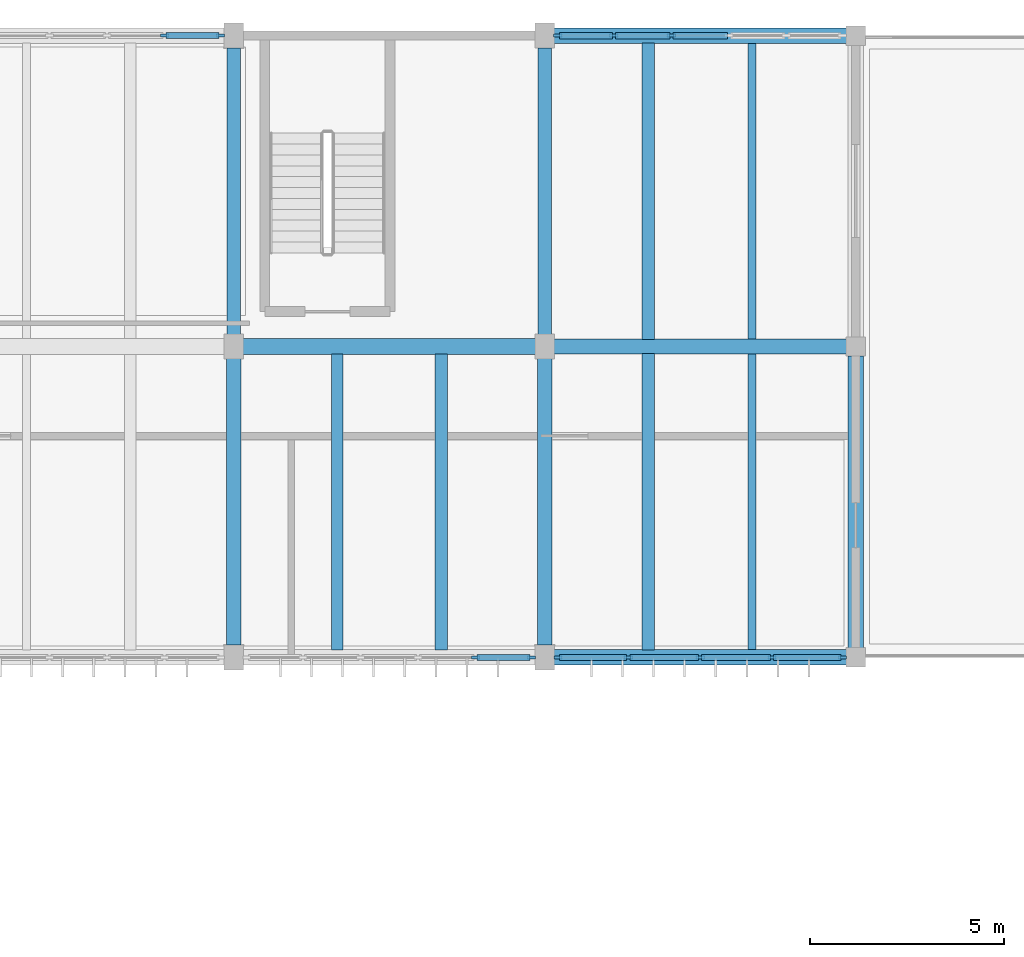
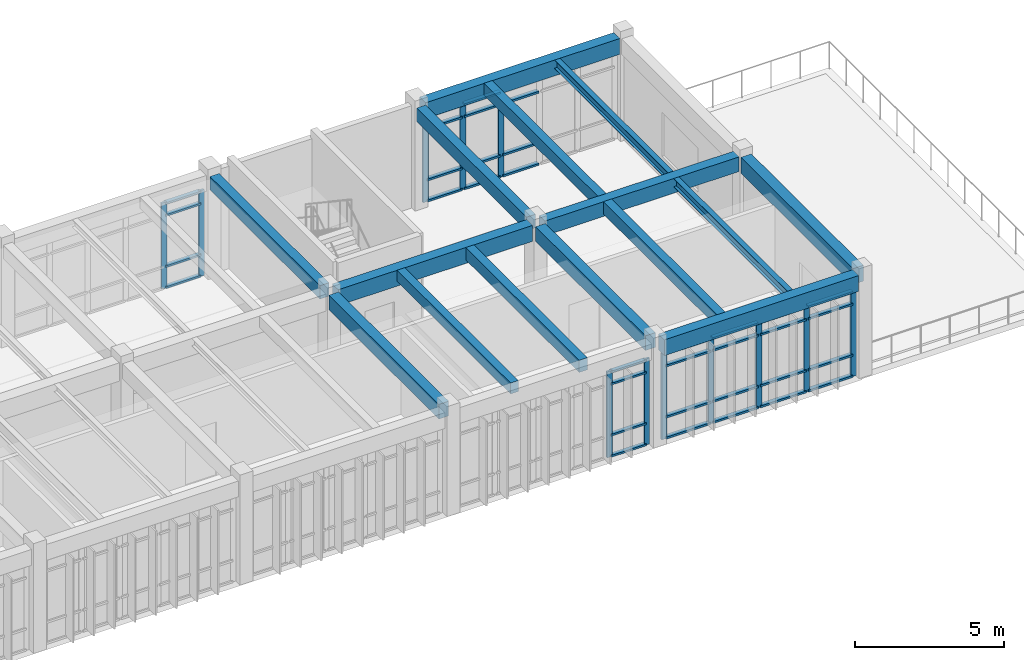
# One storey, part 29 of 72: 47 members, 15 beams, 4 elements without a shape of their own.
"""IFC4 building model written with IfcOpenShell, lengths in metres."""

from ifc_helpers import new_model, si_unit, direction, frame, origin, origin_2d, place, context, subcontext, project, spatial, rectangle, i_section, extrude, material, material_profile, profile_set, type_object, element, aggregate, save


model = new_model("IFC4")

# Units and contexts
model_context = context("Model", 3, precision=1e-05, world=origin(), true_north=direction((0.0, 1.0)))
body_context = subcontext(model_context, "Body", "Model", "MODEL_VIEW")
ifc_project = project(units=[si_unit("LENGTHUNIT", "METRE"), si_unit("AREAUNIT", "SQUARE_METRE"), si_unit("VOLUMEUNIT", "CUBIC_METRE"), si_unit("PLANEANGLEUNIT", "RADIAN"), si_unit("MASSUNIT", "GRAM", prefix="KILO")], contexts=[model_context])

# Site, building, storey
site_placement = place(None, origin())
site = spatial("IfcSite", under=ifc_project, at=site_placement, CompositionType="ELEMENT")
building_placement = place(site_placement, origin())
building = spatial("IfcBuilding", under=site, at=building_placement, Name="Tlaxcora Railside Police Headquarters", CompositionType="ELEMENT")
storey_placement = place(building_placement, frame((0.0, 0.0, 13.5)))
storey = spatial("IfcBuildingStorey", under=building, at=storey_placement, Name="L03", CompositionType="ELEMENT", Elevation=13.5)

# Curtain wall, members
ifc_material_1 = material(Name="Thermally broken low-E insulated glazing", Category="glass")
curtain_wall_type_1 = type_object("IfcCurtainWallType", Name="Unitised Curtain Wall Assembly CW-23", PredefinedType="NOTDEFINED", material=ifc_material_1)
curtain_wall_1_placement = place(storey_placement, origin())
curtain_wall_1 = element("IfcCurtainWall", 1, at=curtain_wall_1_placement, inside=storey, type_object=curtain_wall_type_1, Name="V6 L03 curtain wall 168", PredefinedType="NOTDEFINED")
ifc_material_2 = material(Name="Anodised aluminium framing", Category="aluminium")
ifc_material_profile_1 = material_profile(ifc_material_2, rectangle(XDim=0.080078125, YDim=0.219970703125, at=origin_2d()), Name="AL80X220")
ifc_profile_set_1 = profile_set([ifc_material_profile_1], Name="Anodised aluminium framing")
member_type_1 = type_object("IfcMemberType", Name="Curtain Wall Mullion CW-31", PredefinedType="MULLION", material=ifc_profile_set_1)
member_1_placement = place(storey_placement, frame((146.06005859375, 92.800048828125, 0.0), z_axis=(0.0, 0.0, 1.0), x_axis=(0.0, -1.0, 0.0)))
member_1 = element("IfcMember", 2, at=member_1_placement, type_object=member_type_1, Name="CW mullion 4", PredefinedType="MULLION", context=body_context, shape_type="SweptSolid", body=[
    extrude(rectangle(XDim=0.080078125, YDim=0.219970703125, at=origin_2d()), origin(), (0.0, 0.0, 1.0), 3.52001953125),
])
member_2_placement = place(storey_placement, frame((144.580078125, 92.800048828125, 0.0), z_axis=(0.0, 0.0, 1.0), x_axis=(0.0, -1.0, 0.0)))
member_2 = element("IfcMember", 3, at=member_2_placement, type_object=member_type_1, Name="CW mullion 5", PredefinedType="MULLION", context=body_context, shape_type="SweptSolid", body=[
    extrude(rectangle(XDim=0.080078125, YDim=0.219970703125, at=origin_2d()), origin(), (0.0, 0.0, 1.0), 3.52001953125),
])
member_3_placement = place(storey_placement, frame((143.139892578125, 92.800048828125, 0.0), z_axis=(0.0, 0.0, 1.0), x_axis=(0.0, -1.0, 0.0)))
member_3 = element("IfcMember", 4, at=member_3_placement, type_object=member_type_1, Name="CW mullion 6", PredefinedType="MULLION", context=body_context, shape_type="SweptSolid", body=[
    extrude(rectangle(XDim=0.080078125, YDim=0.219970703125, at=origin_2d()), origin(), (0.0, 0.0, 1.0), 3.52001953125),
])

curtain_wall_type_2 = type_object("IfcCurtainWallType", Name="Unitised Curtain Wall Assembly CW-38", PredefinedType="NOTDEFINED", material=ifc_material_1)
curtain_wall_2_placement = place(storey_placement, origin())
curtain_wall_2 = element("IfcCurtainWall", 5, at=curtain_wall_2_placement, inside=storey, type_object=curtain_wall_type_2, Name="V6 L03 curtain wall 169", PredefinedType="NOTDEFINED")
ifc_material_profile_2 = material_profile(ifc_material_2, rectangle(XDim=0.074951171875, YDim=0.205078125, at=origin_2d()), Name="AL75X205")
ifc_profile_set_2 = profile_set([ifc_material_profile_2], Name="Anodised aluminium framing")
member_type_2 = type_object("IfcMemberType", Name="Curtain Wall Mullion CW-32", PredefinedType="MULLION", material=ifc_profile_set_2)
member_4_placement = place(storey_placement, frame((134.46240234375, 92.800048828125, 0.0), z_axis=(0.0, 0.0, 1.0), x_axis=(0.0, -1.0, 0.0)))
member_4 = element("IfcMember", 6, at=member_4_placement, type_object=member_type_2, Name="CW mullion 1", PredefinedType="MULLION", context=body_context, shape_type="SweptSolid", body=[
    extrude(rectangle(XDim=0.074951171875, YDim=0.205078125, at=origin_2d()), origin(), (0.0, 0.0, 1.0), 3.52001953125),
])
member_5_placement = place(storey_placement, frame((133.02001953125, 92.800048828125, 0.0), z_axis=(0.0, 0.0, 1.0), x_axis=(0.0, -1.0, 0.0)))
member_5 = element("IfcMember", 7, at=member_5_placement, type_object=member_type_2, Name="CW mullion 2", PredefinedType="MULLION", context=body_context, shape_type="SweptSolid", body=[
    extrude(rectangle(XDim=0.074951171875, YDim=0.205078125, at=origin_2d()), origin(), (0.0, 0.0, 1.0), 3.52001953125),
])

curtain_wall_type_3 = type_object("IfcCurtainWallType", Name="Unitised Curtain Wall Assembly CW-15", PredefinedType="NOTDEFINED", material=ifc_material_1)
curtain_wall_3_placement = place(storey_placement, origin())
curtain_wall_3 = element("IfcCurtainWall", 8, at=curtain_wall_3_placement, inside=storey, type_object=curtain_wall_type_3, Name="V6 L03 curtain wall 166", PredefinedType="NOTDEFINED")
ifc_material_profile_3 = material_profile(ifc_material_2, rectangle(XDim=0.074951171875, YDim=0.199951171875, at=origin_2d()), Name="AL75X200")
ifc_profile_set_3 = profile_set([ifc_material_profile_3], Name="Anodised aluminium framing")
member_type_3 = type_object("IfcMemberType", Name="Curtain Wall Mullion CW-58", PredefinedType="MULLION", material=ifc_profile_set_3)
member_6_placement = place(storey_placement, frame((141.02001953125, 76.800048828125, 0.0), z_axis=(0.0, 0.0, 1.0), x_axis=(0.0, 1.0, 0.0)))
member_6 = element("IfcMember", 9, at=member_6_placement, type_object=member_type_3, Name="CW mullion 5", PredefinedType="MULLION", context=body_context, shape_type="SweptSolid", body=[
    extrude(rectangle(XDim=0.074951171875, YDim=0.199951171875, at=origin_2d()), origin(), (0.0, 0.0, 1.0), 3.52001953125),
])
member_7_placement = place(storey_placement, frame((142.46240234375, 76.800048828125, 0.0), z_axis=(0.0, 0.0, 1.0), x_axis=(0.0, 1.0, 0.0)))
member_7 = element("IfcMember", 10, at=member_7_placement, type_object=member_type_3, Name="CW mullion 6", PredefinedType="MULLION", context=body_context, shape_type="SweptSolid", body=[
    extrude(rectangle(XDim=0.074951171875, YDim=0.199951171875, at=origin_2d()), origin(), (0.0, 0.0, 1.0), 3.52001953125),
])

curtain_wall_type_4 = type_object("IfcCurtainWallType", Name="Unitised Curtain Wall Assembly CW-83", PredefinedType="NOTDEFINED", material=ifc_material_1)
curtain_wall_4_placement = place(storey_placement, origin())
curtain_wall_4 = element("IfcCurtainWall", 11, at=curtain_wall_4_placement, inside=storey, type_object=curtain_wall_type_4, Name="V6 L03 curtain wall 167", PredefinedType="NOTDEFINED")
ifc_material_profile_4 = material_profile(ifc_material_2, rectangle(XDim=0.080078125, YDim=0.2099609375, at=origin_2d()), Name="AL80X210")
ifc_profile_set_4 = profile_set([ifc_material_profile_4], Name="Anodised aluminium framing")
member_type_4 = type_object("IfcMemberType", Name="Curtain Wall Mullion CW-76", PredefinedType="MULLION", material=ifc_profile_set_4)
member_8_placement = place(storey_placement, frame((143.139892578125, 76.800048828125, 0.0), z_axis=(0.0, 0.0, 1.0), x_axis=(0.0, 1.0, 0.0)))
member_8 = element("IfcMember", 12, at=member_8_placement, type_object=member_type_4, Name="CW mullion 1", PredefinedType="MULLION", context=body_context, shape_type="SweptSolid", body=[
    extrude(rectangle(XDim=0.080078125, YDim=0.2099609375, at=origin_2d()), origin(), (0.0, 0.0, 1.0), 3.52001953125),
])
member_9_placement = place(storey_placement, frame((144.949951171875, 76.800048828125, 0.0), z_axis=(0.0, 0.0, 1.0), x_axis=(0.0, 1.0, 0.0)))
member_9 = element("IfcMember", 13, at=member_9_placement, type_object=member_type_4, Name="CW mullion 2", PredefinedType="MULLION", context=body_context, shape_type="SweptSolid", body=[
    extrude(rectangle(XDim=0.080078125, YDim=0.2099609375, at=origin_2d()), origin(), (0.0, 0.0, 1.0), 3.52001953125),
])
member_10_placement = place(storey_placement, frame((146.800048828125, 76.800048828125, 0.0), z_axis=(0.0, 0.0, 1.0), x_axis=(0.0, 1.0, 0.0)))
member_10 = element("IfcMember", 14, at=member_10_placement, type_object=member_type_4, Name="CW mullion 3", PredefinedType="MULLION", context=body_context, shape_type="SweptSolid", body=[
    extrude(rectangle(XDim=0.080078125, YDim=0.2099609375, at=origin_2d()), origin(), (0.0, 0.0, 1.0), 3.52001953125),
])
member_11_placement = place(storey_placement, frame((148.64990234375, 76.800048828125, 0.0), z_axis=(0.0, 0.0, 1.0), x_axis=(0.0, 1.0, 0.0)))
member_11 = element("IfcMember", 15, at=member_11_placement, type_object=member_type_4, Name="CW mullion 4", PredefinedType="MULLION", context=body_context, shape_type="SweptSolid", body=[
    extrude(rectangle(XDim=0.080078125, YDim=0.2099609375, at=origin_2d()), origin(), (0.0, 0.0, 1.0), 3.52001953125),
])
member_12_placement = place(storey_placement, frame((150.4599609375, 76.800048828125, 0.0), z_axis=(0.0, 0.0, 1.0), x_axis=(0.0, 1.0, 0.0)))
member_12 = element("IfcMember", 16, at=member_12_placement, type_object=member_type_4, Name="CW mullion 5", PredefinedType="MULLION", context=body_context, shape_type="SweptSolid", body=[
    extrude(rectangle(XDim=0.080078125, YDim=0.2099609375, at=origin_2d()), origin(), (0.0, 0.0, 1.0), 3.52001953125),
])

# Member
ifc_material_profile_5 = material_profile(ifc_material_2, rectangle(XDim=0.14990234375, YDim=0.074951171875, at=origin_2d()), Name="AL75X150")
ifc_profile_set_5 = profile_set([ifc_material_profile_5], Name="Anodised aluminium framing")
member_type_5 = type_object("IfcMemberType", Name="Curtain Wall Transom CW-28", PredefinedType="USERDEFINED", material=ifc_profile_set_5)
member_13_placement = place(storey_placement, frame((141.0576171875, 76.800048828125, 0.03759765625), z_axis=(1.0, 0.0, 0.0), x_axis=(0.0, 1.0, 0.0)))
member_13 = element("IfcMember", 17, at=member_13_placement, type_object=member_type_5, Name="CW transom 5.1", ObjectType="TRANSOM", PredefinedType="USERDEFINED", context=body_context, shape_type="SweptSolid", body=[
    extrude(rectangle(XDim=0.14990234375, YDim=0.074951171875, at=origin_2d()), origin(), (0.0, 0.0, 1.0), 1.367431640625),
])

member_14_placement = place(storey_placement, frame((141.0576171875, 76.800048828125, 0.89990234375), z_axis=(1.0, 0.0, 0.0), x_axis=(0.0, 1.0, 0.0)))
member_14 = element("IfcMember", 18, at=member_14_placement, type_object=member_type_5, Name="CW transom 5.2", ObjectType="TRANSOM", PredefinedType="USERDEFINED", context=body_context, shape_type="SweptSolid", body=[
    extrude(rectangle(XDim=0.14990234375, YDim=0.074951171875, at=origin_2d()), origin(), (0.0, 0.0, 1.0), 1.367431640625),
])

member_15_placement = place(storey_placement, frame((141.0576171875, 76.800048828125, 2.989990234375), z_axis=(1.0, 0.0, 0.0), x_axis=(0.0, 1.0, 0.0)))
member_15 = element("IfcMember", 19, at=member_15_placement, type_object=member_type_5, Name="CW transom 5.3", ObjectType="TRANSOM", PredefinedType="USERDEFINED", context=body_context, shape_type="SweptSolid", body=[
    extrude(rectangle(XDim=0.14990234375, YDim=0.074951171875, at=origin_2d()), origin(), (0.0, 0.0, 1.0), 1.367431640625),
])

member_16_placement = place(storey_placement, frame((141.0576171875, 76.800048828125, 3.482421875), z_axis=(1.0, 0.0, 0.0), x_axis=(0.0, 1.0, 0.0)))
member_16 = element("IfcMember", 20, at=member_16_placement, type_object=member_type_5, Name="CW transom 5.4", ObjectType="TRANSOM", PredefinedType="USERDEFINED", context=body_context, shape_type="SweptSolid", body=[
    extrude(rectangle(XDim=0.14990234375, YDim=0.074951171875, at=origin_2d()), origin(), (0.0, 0.0, 1.0), 1.367431640625),
])

aggregate(curtain_wall_3, [member_6, member_7, member_13, member_14, member_15, member_16])

ifc_material_profile_6 = material_profile(ifc_material_2, rectangle(XDim=0.155029296875, YDim=0.074951171875, at=origin_2d()), Name="AL75X155")
ifc_profile_set_6 = profile_set([ifc_material_profile_6], Name="Anodised aluminium framing")
member_type_6 = type_object("IfcMemberType", Name="Curtain Wall Transom CW-30", PredefinedType="USERDEFINED", material=ifc_profile_set_6)
member_17_placement = place(storey_placement, frame((134.425048828125, 92.800048828125, 0.03759765625), z_axis=(-1.0, 0.0, 0.0), x_axis=(0.0, -1.0, 0.0)))
member_17 = element("IfcMember", 21, at=member_17_placement, type_object=member_type_6, Name="CW transom 1.1", ObjectType="TRANSOM", PredefinedType="USERDEFINED", context=body_context, shape_type="SweptSolid", body=[
    extrude(rectangle(XDim=0.155029296875, YDim=0.074951171875, at=origin_2d()), origin(), (0.0, 0.0, 1.0), 1.367431640625),
])

member_18_placement = place(storey_placement, frame((134.425048828125, 92.800048828125, 0.89990234375), z_axis=(-1.0, 0.0, 0.0), x_axis=(0.0, -1.0, 0.0)))
member_18 = element("IfcMember", 22, at=member_18_placement, type_object=member_type_6, Name="CW transom 1.2", ObjectType="TRANSOM", PredefinedType="USERDEFINED", context=body_context, shape_type="SweptSolid", body=[
    extrude(rectangle(XDim=0.155029296875, YDim=0.074951171875, at=origin_2d()), origin(), (0.0, 0.0, 1.0), 1.367431640625),
])

member_19_placement = place(storey_placement, frame((134.425048828125, 92.800048828125, 2.989990234375), z_axis=(-1.0, 0.0, 0.0), x_axis=(0.0, -1.0, 0.0)))
member_19 = element("IfcMember", 23, at=member_19_placement, type_object=member_type_6, Name="CW transom 1.3", ObjectType="TRANSOM", PredefinedType="USERDEFINED", context=body_context, shape_type="SweptSolid", body=[
    extrude(rectangle(XDim=0.155029296875, YDim=0.074951171875, at=origin_2d()), origin(), (0.0, 0.0, 1.0), 1.367431640625),
])

member_20_placement = place(storey_placement, frame((134.425048828125, 92.800048828125, 3.482421875), z_axis=(-1.0, 0.0, 0.0), x_axis=(0.0, -1.0, 0.0)))
member_20 = element("IfcMember", 24, at=member_20_placement, type_object=member_type_6, Name="CW transom 1.4", ObjectType="TRANSOM", PredefinedType="USERDEFINED", context=body_context, shape_type="SweptSolid", body=[
    extrude(rectangle(XDim=0.155029296875, YDim=0.074951171875, at=origin_2d()), origin(), (0.0, 0.0, 1.0), 1.367431640625),
])

aggregate(curtain_wall_2, [member_4, member_5, member_17, member_18, member_19, member_20])

ifc_material_profile_7 = material_profile(ifc_material_2, rectangle(XDim=0.1650390625, YDim=0.080078125, at=origin_2d()), Name="AL80X165")
ifc_profile_set_7 = profile_set([ifc_material_profile_7], Name="Anodised aluminium framing")
member_type_7 = type_object("IfcMemberType", Name="Curtain Wall Transom CW-62", PredefinedType="USERDEFINED", material=ifc_profile_set_7)
member_21_placement = place(storey_placement, frame((147.5, 92.800048828125, 0.0400390625), z_axis=(-1.0, 0.0, 0.0), x_axis=(0.0, -1.0, 0.0)))
member_21 = element("IfcMember", 25, at=member_21_placement, type_object=member_type_7, Name="CW transom 3.1", ObjectType="TRANSOM", PredefinedType="USERDEFINED", context=body_context, shape_type="SweptSolid", body=[
    extrude(rectangle(XDim=0.1650390625, YDim=0.080078125, at=origin_2d()), origin(), (0.0, 0.0, 1.0), 1.39990234375),
])

member_22_placement = place(storey_placement, frame((147.5, 92.800048828125, 0.89990234375), z_axis=(-1.0, 0.0, 0.0), x_axis=(0.0, -1.0, 0.0)))
member_22 = element("IfcMember", 26, at=member_22_placement, type_object=member_type_7, Name="CW transom 3.2", ObjectType="TRANSOM", PredefinedType="USERDEFINED", context=body_context, shape_type="SweptSolid", body=[
    extrude(rectangle(XDim=0.1650390625, YDim=0.080078125, at=origin_2d()), origin(), (0.0, 0.0, 1.0), 1.39990234375),
])

member_23_placement = place(storey_placement, frame((147.5, 92.800048828125, 2.989990234375), z_axis=(-1.0, 0.0, 0.0), x_axis=(0.0, -1.0, 0.0)))
member_23 = element("IfcMember", 27, at=member_23_placement, type_object=member_type_7, Name="CW transom 3.3", ObjectType="TRANSOM", PredefinedType="USERDEFINED", context=body_context, shape_type="SweptSolid", body=[
    extrude(rectangle(XDim=0.1650390625, YDim=0.080078125, at=origin_2d()), origin(), (0.0, 0.0, 1.0), 1.39990234375),
])

member_24_placement = place(storey_placement, frame((146.02001953125, 92.800048828125, 0.0400390625), z_axis=(-1.0, 0.0, 0.0), x_axis=(0.0, -1.0, 0.0)))
member_24 = element("IfcMember", 28, at=member_24_placement, type_object=member_type_7, Name="CW transom 4.1", ObjectType="TRANSOM", PredefinedType="USERDEFINED", context=body_context, shape_type="SweptSolid", body=[
    extrude(rectangle(XDim=0.1650390625, YDim=0.080078125, at=origin_2d()), origin(), (0.0, 0.0, 1.0), 1.39990234375),
])

member_25_placement = place(storey_placement, frame((146.02001953125, 92.800048828125, 0.89990234375), z_axis=(-1.0, 0.0, 0.0), x_axis=(0.0, -1.0, 0.0)))
member_25 = element("IfcMember", 29, at=member_25_placement, type_object=member_type_7, Name="CW transom 4.2", ObjectType="TRANSOM", PredefinedType="USERDEFINED", context=body_context, shape_type="SweptSolid", body=[
    extrude(rectangle(XDim=0.1650390625, YDim=0.080078125, at=origin_2d()), origin(), (0.0, 0.0, 1.0), 1.39990234375),
])

member_26_placement = place(storey_placement, frame((146.02001953125, 92.800048828125, 2.989990234375), z_axis=(-1.0, 0.0, 0.0), x_axis=(0.0, -1.0, 0.0)))
member_26 = element("IfcMember", 30, at=member_26_placement, type_object=member_type_7, Name="CW transom 4.3", ObjectType="TRANSOM", PredefinedType="USERDEFINED", context=body_context, shape_type="SweptSolid", body=[
    extrude(rectangle(XDim=0.1650390625, YDim=0.080078125, at=origin_2d()), origin(), (0.0, 0.0, 1.0), 1.39990234375),
])

member_27_placement = place(storey_placement, frame((146.02001953125, 92.800048828125, 3.47998046875), z_axis=(-1.0, 0.0, 0.0), x_axis=(0.0, -1.0, 0.0)))
member_27 = element("IfcMember", 31, at=member_27_placement, type_object=member_type_7, Name="CW transom 4.4", ObjectType="TRANSOM", PredefinedType="USERDEFINED", context=body_context, shape_type="SweptSolid", body=[
    extrude(rectangle(XDim=0.1650390625, YDim=0.080078125, at=origin_2d()), origin(), (0.0, 0.0, 1.0), 1.39990234375),
])

member_28_placement = place(storey_placement, frame((144.5400390625, 92.800048828125, 0.0400390625), z_axis=(-1.0, 0.0, 0.0), x_axis=(0.0, -1.0, 0.0)))
member_28 = element("IfcMember", 32, at=member_28_placement, type_object=member_type_7, Name="CW transom 5.1", ObjectType="TRANSOM", PredefinedType="USERDEFINED", context=body_context, shape_type="SweptSolid", body=[
    extrude(rectangle(XDim=0.1650390625, YDim=0.080078125, at=origin_2d()), origin(), (0.0, 0.0, 1.0), 1.360107421875),
])

member_29_placement = place(storey_placement, frame((144.5400390625, 92.800048828125, 0.89990234375), z_axis=(-1.0, 0.0, 0.0), x_axis=(0.0, -1.0, 0.0)))
member_29 = element("IfcMember", 33, at=member_29_placement, type_object=member_type_7, Name="CW transom 5.2", ObjectType="TRANSOM", PredefinedType="USERDEFINED", context=body_context, shape_type="SweptSolid", body=[
    extrude(rectangle(XDim=0.1650390625, YDim=0.080078125, at=origin_2d()), origin(), (0.0, 0.0, 1.0), 1.360107421875),
])

member_30_placement = place(storey_placement, frame((144.5400390625, 92.800048828125, 2.989990234375), z_axis=(-1.0, 0.0, 0.0), x_axis=(0.0, -1.0, 0.0)))
member_30 = element("IfcMember", 34, at=member_30_placement, type_object=member_type_7, Name="CW transom 5.3", ObjectType="TRANSOM", PredefinedType="USERDEFINED", context=body_context, shape_type="SweptSolid", body=[
    extrude(rectangle(XDim=0.1650390625, YDim=0.080078125, at=origin_2d()), origin(), (0.0, 0.0, 1.0), 1.360107421875),
])

member_31_placement = place(storey_placement, frame((144.5400390625, 92.800048828125, 3.47998046875), z_axis=(-1.0, 0.0, 0.0), x_axis=(0.0, -1.0, 0.0)))
member_31 = element("IfcMember", 35, at=member_31_placement, type_object=member_type_7, Name="CW transom 5.4", ObjectType="TRANSOM", PredefinedType="USERDEFINED", context=body_context, shape_type="SweptSolid", body=[
    extrude(rectangle(XDim=0.1650390625, YDim=0.080078125, at=origin_2d()), origin(), (0.0, 0.0, 1.0), 1.360107421875),
])

aggregate(curtain_wall_1, [member_1, member_2, member_3, member_21, member_22, member_23, member_24, member_25, member_26, member_27, member_28, member_29, member_30, member_31])

ifc_material_profile_8 = material_profile(ifc_material_2, rectangle(XDim=0.159912109375, YDim=0.080078125, at=origin_2d()), Name="AL80X160")
ifc_profile_set_8 = profile_set([ifc_material_profile_8], Name="Anodised aluminium framing")
member_type_8 = type_object("IfcMemberType", Name="Curtain Wall Transom CW-82", PredefinedType="USERDEFINED", material=ifc_profile_set_8)
member_32_placement = place(storey_placement, frame((143.179931640625, 76.800048828125, 0.0400390625), z_axis=(1.0, 0.0, 0.0), x_axis=(0.0, 1.0, 0.0)))
member_32 = element("IfcMember", 36, at=member_32_placement, type_object=member_type_8, Name="CW transom 1.1", ObjectType="TRANSOM", PredefinedType="USERDEFINED", context=body_context, shape_type="SweptSolid", body=[
    extrude(rectangle(XDim=0.159912109375, YDim=0.080078125, at=origin_2d()), origin(), (0.0, 0.0, 1.0), 1.72998046875),
])

member_33_placement = place(storey_placement, frame((143.179931640625, 76.800048828125, 0.89990234375), z_axis=(1.0, 0.0, 0.0), x_axis=(0.0, 1.0, 0.0)))
member_33 = element("IfcMember", 37, at=member_33_placement, type_object=member_type_8, Name="CW transom 1.2", ObjectType="TRANSOM", PredefinedType="USERDEFINED", context=body_context, shape_type="SweptSolid", body=[
    extrude(rectangle(XDim=0.159912109375, YDim=0.080078125, at=origin_2d()), origin(), (0.0, 0.0, 1.0), 1.72998046875),
])

member_34_placement = place(storey_placement, frame((143.179931640625, 76.800048828125, 2.989990234375), z_axis=(1.0, 0.0, 0.0), x_axis=(0.0, 1.0, 0.0)))
member_34 = element("IfcMember", 38, at=member_34_placement, type_object=member_type_8, Name="CW transom 1.3", ObjectType="TRANSOM", PredefinedType="USERDEFINED", context=body_context, shape_type="SweptSolid", body=[
    extrude(rectangle(XDim=0.159912109375, YDim=0.080078125, at=origin_2d()), origin(), (0.0, 0.0, 1.0), 1.72998046875),
])

member_35_placement = place(storey_placement, frame((143.179931640625, 76.800048828125, 3.47998046875), z_axis=(1.0, 0.0, 0.0), x_axis=(0.0, 1.0, 0.0)))
member_35 = element("IfcMember", 39, at=member_35_placement, type_object=member_type_8, Name="CW transom 1.4", ObjectType="TRANSOM", PredefinedType="USERDEFINED", context=body_context, shape_type="SweptSolid", body=[
    extrude(rectangle(XDim=0.159912109375, YDim=0.080078125, at=origin_2d()), origin(), (0.0, 0.0, 1.0), 1.72998046875),
])

member_36_placement = place(storey_placement, frame((144.989990234375, 76.800048828125, 0.0400390625), z_axis=(1.0, 0.0, 0.0), x_axis=(0.0, 1.0, 0.0)))
member_36 = element("IfcMember", 40, at=member_36_placement, type_object=member_type_8, Name="CW transom 2.1", ObjectType="TRANSOM", PredefinedType="USERDEFINED", context=body_context, shape_type="SweptSolid", body=[
    extrude(rectangle(XDim=0.159912109375, YDim=0.080078125, at=origin_2d()), origin(), (0.0, 0.0, 1.0), 1.77001953125),
])

member_37_placement = place(storey_placement, frame((144.989990234375, 76.800048828125, 0.89990234375), z_axis=(1.0, 0.0, 0.0), x_axis=(0.0, 1.0, 0.0)))
member_37 = element("IfcMember", 41, at=member_37_placement, type_object=member_type_8, Name="CW transom 2.2", ObjectType="TRANSOM", PredefinedType="USERDEFINED", context=body_context, shape_type="SweptSolid", body=[
    extrude(rectangle(XDim=0.159912109375, YDim=0.080078125, at=origin_2d()), origin(), (0.0, 0.0, 1.0), 1.77001953125),
])

member_38_placement = place(storey_placement, frame((144.989990234375, 76.800048828125, 2.989990234375), z_axis=(1.0, 0.0, 0.0), x_axis=(0.0, 1.0, 0.0)))
member_38 = element("IfcMember", 42, at=member_38_placement, type_object=member_type_8, Name="CW transom 2.3", ObjectType="TRANSOM", PredefinedType="USERDEFINED", context=body_context, shape_type="SweptSolid", body=[
    extrude(rectangle(XDim=0.159912109375, YDim=0.080078125, at=origin_2d()), origin(), (0.0, 0.0, 1.0), 1.77001953125),
])

member_39_placement = place(storey_placement, frame((144.989990234375, 76.800048828125, 3.47998046875), z_axis=(1.0, 0.0, 0.0), x_axis=(0.0, 1.0, 0.0)))
member_39 = element("IfcMember", 43, at=member_39_placement, type_object=member_type_8, Name="CW transom 2.4", ObjectType="TRANSOM", PredefinedType="USERDEFINED", context=body_context, shape_type="SweptSolid", body=[
    extrude(rectangle(XDim=0.159912109375, YDim=0.080078125, at=origin_2d()), origin(), (0.0, 0.0, 1.0), 1.77001953125),
])

member_40_placement = place(storey_placement, frame((146.840087890625, 76.800048828125, 0.0400390625), z_axis=(1.0, 0.0, 0.0), x_axis=(0.0, 1.0, 0.0)))
member_40 = element("IfcMember", 44, at=member_40_placement, type_object=member_type_8, Name="CW transom 3.1", ObjectType="TRANSOM", PredefinedType="USERDEFINED", context=body_context, shape_type="SweptSolid", body=[
    extrude(rectangle(XDim=0.159912109375, YDim=0.080078125, at=origin_2d()), origin(), (0.0, 0.0, 1.0), 1.77001953125),
])

member_41_placement = place(storey_placement, frame((146.840087890625, 76.800048828125, 0.89990234375), z_axis=(1.0, 0.0, 0.0), x_axis=(0.0, 1.0, 0.0)))
member_41 = element("IfcMember", 45, at=member_41_placement, type_object=member_type_8, Name="CW transom 3.2", ObjectType="TRANSOM", PredefinedType="USERDEFINED", context=body_context, shape_type="SweptSolid", body=[
    extrude(rectangle(XDim=0.159912109375, YDim=0.080078125, at=origin_2d()), origin(), (0.0, 0.0, 1.0), 1.77001953125),
])

member_42_placement = place(storey_placement, frame((146.840087890625, 76.800048828125, 2.989990234375), z_axis=(1.0, 0.0, 0.0), x_axis=(0.0, 1.0, 0.0)))
member_42 = element("IfcMember", 46, at=member_42_placement, type_object=member_type_8, Name="CW transom 3.3", ObjectType="TRANSOM", PredefinedType="USERDEFINED", context=body_context, shape_type="SweptSolid", body=[
    extrude(rectangle(XDim=0.159912109375, YDim=0.080078125, at=origin_2d()), origin(), (0.0, 0.0, 1.0), 1.77001953125),
])

member_43_placement = place(storey_placement, frame((146.840087890625, 76.800048828125, 3.47998046875), z_axis=(1.0, 0.0, 0.0), x_axis=(0.0, 1.0, 0.0)))
member_43 = element("IfcMember", 47, at=member_43_placement, type_object=member_type_8, Name="CW transom 3.4", ObjectType="TRANSOM", PredefinedType="USERDEFINED", context=body_context, shape_type="SweptSolid", body=[
    extrude(rectangle(XDim=0.159912109375, YDim=0.080078125, at=origin_2d()), origin(), (0.0, 0.0, 1.0), 1.77001953125),
])

member_44_placement = place(storey_placement, frame((148.68994140625, 76.800048828125, 0.0400390625), z_axis=(1.0, 0.0, 0.0), x_axis=(0.0, 1.0, 0.0)))
member_44 = element("IfcMember", 48, at=member_44_placement, type_object=member_type_8, Name="CW transom 4.1", ObjectType="TRANSOM", PredefinedType="USERDEFINED", context=body_context, shape_type="SweptSolid", body=[
    extrude(rectangle(XDim=0.159912109375, YDim=0.080078125, at=origin_2d()), origin(), (0.0, 0.0, 1.0), 1.72998046875),
])

member_45_placement = place(storey_placement, frame((148.68994140625, 76.800048828125, 0.89990234375), z_axis=(1.0, 0.0, 0.0), x_axis=(0.0, 1.0, 0.0)))
member_45 = element("IfcMember", 49, at=member_45_placement, type_object=member_type_8, Name="CW transom 4.2", ObjectType="TRANSOM", PredefinedType="USERDEFINED", context=body_context, shape_type="SweptSolid", body=[
    extrude(rectangle(XDim=0.159912109375, YDim=0.080078125, at=origin_2d()), origin(), (0.0, 0.0, 1.0), 1.72998046875),
])

member_46_placement = place(storey_placement, frame((148.68994140625, 76.800048828125, 2.989990234375), z_axis=(1.0, 0.0, 0.0), x_axis=(0.0, 1.0, 0.0)))
member_46 = element("IfcMember", 50, at=member_46_placement, type_object=member_type_8, Name="CW transom 4.3", ObjectType="TRANSOM", PredefinedType="USERDEFINED", context=body_context, shape_type="SweptSolid", body=[
    extrude(rectangle(XDim=0.159912109375, YDim=0.080078125, at=origin_2d()), origin(), (0.0, 0.0, 1.0), 1.72998046875),
])

member_47_placement = place(storey_placement, frame((148.68994140625, 76.800048828125, 3.47998046875), z_axis=(1.0, 0.0, 0.0), x_axis=(0.0, 1.0, 0.0)))
member_47 = element("IfcMember", 51, at=member_47_placement, type_object=member_type_8, Name="CW transom 4.4", ObjectType="TRANSOM", PredefinedType="USERDEFINED", context=body_context, shape_type="SweptSolid", body=[
    extrude(rectangle(XDim=0.159912109375, YDim=0.080078125, at=origin_2d()), origin(), (0.0, 0.0, 1.0), 1.72998046875),
])

aggregate(curtain_wall_4, [member_8, member_9, member_10, member_11, member_12, member_32, member_33, member_34, member_35, member_36, member_37, member_38, member_39, member_40, member_41, member_42, member_43, member_44, member_45, member_46, member_47])

# Beams
ifc_material_3 = material(Name="Concrete C40/50", Category="concrete")
ifc_material_profile_9 = material_profile(ifc_material_3, rectangle(XDim=0.39990234375, YDim=0.64990234375, at=origin_2d()), Name="RC400X650")
ifc_profile_set_9 = profile_set([ifc_material_profile_9], Name="Concrete C40/50")
beam_type_1 = type_object("IfcBeamType", Name="Perimeter Spandrel Beam BM-46", PredefinedType="SPANDREL", material=ifc_profile_set_9)
for number, where, z_axis, x_axis, name in (
    (52, (143.0400390625, 76.800048828125, 3.864990234375), (1.0, 0.0, 0.0), (0.0, 1.0, 0.0), "V6 L03 X-girder Y=76.8"),
    (53, (143.0400390625, 92.800048828125, 3.864990234375), (1.0, 0.0, 0.0), (0.0, 1.0, 0.0), "V6 L03 X-girder Y=92.8"),
    (54, (150.800048828125, 77.0400390625, 3.864990234375), (0.0, 1.0, 0.0), (-1.0, 0.0, 0.0), "V6 L03 Y-girder X=150.8"),
):
    element("IfcBeam", number, at=place(storey_placement, frame(where, z_axis=z_axis, x_axis=x_axis)), inside=storey, type_object=beam_type_1, Name=name, PredefinedType="SPANDREL", context=body_context, shape_type="SweptSolid", body=[
        extrude(rectangle(XDim=0.39990234375, YDim=0.64990234375, at=origin_2d()), origin(), (0.0, 0.0, 1.0), 7.52001953125),
    ])
ifc_material_profile_10 = material_profile(ifc_material_3, rectangle(XDim=0.3798828125, YDim=0.60009765625, at=origin_2d()), Name="RC380X600")
ifc_profile_set_10 = profile_set([ifc_material_profile_10], Name="Concrete C40/50")
beam_type_2 = type_object("IfcBeamType", Name="Primary Frame Girder BM-22", PredefinedType="BEAM", material=ifc_profile_set_10)
beam_1_placement = place(storey_placement, frame((143.0400390625, 84.800048828125, 3.889892578125), z_axis=(1.0, 0.0, 0.0), x_axis=(0.0, 1.0, 0.0)))
element("IfcBeam", 55, at=beam_1_placement, inside=storey, type_object=beam_type_2, Name="V6 L03 X-girder Y=84.8", PredefinedType="BEAM", context=body_context, shape_type="SweptSolid", body=[
    extrude(rectangle(XDim=0.3798828125, YDim=0.60009765625, at=origin_2d()), origin(), (0.0, 0.0, 1.0), 7.52001953125),
])
for number, where, z_axis, x_axis, name in (
    (56, (134.800048828125, 77.114990234375, 3.889892578125), (0.0, 1.0, 0.0), (-1.0, 0.0, 0.0), "V6 L03 Y-girder X=134.8"),
    (57, (142.800048828125, 77.114990234375, 3.889892578125), (0.0, 1.0, 0.0), (-1.0, 0.0, 0.0), "V6 L03 Y-girder X=142.8"),
):
    element("IfcBeam", number, at=place(storey_placement, frame(where, z_axis=z_axis, x_axis=x_axis)), inside=storey, type_object=beam_type_2, Name=name, PredefinedType="BEAM", context=body_context, shape_type="SweptSolid", body=[
        extrude(rectangle(XDim=0.3798828125, YDim=0.60009765625, at=origin_2d()), origin(), (0.0, 0.0, 1.0), 7.3701171875),
    ])
ifc_material_profile_11 = material_profile(ifc_material_3, rectangle(XDim=0.35009765625, YDim=0.550048828125, at=origin_2d()), Name="RC350X550")
ifc_profile_set_11 = profile_set([ifc_material_profile_11], Name="Concrete C40/50")
beam_type_3 = type_object("IfcBeamType", Name="Primary Frame Girder BM-39", PredefinedType="BEAM", material=ifc_profile_set_11)
for number, where, z_axis, x_axis, name in (
    (58, (134.800048828125, 85.114990234375, 3.9150390625), (0.0, 1.0, 0.0), (-1.0, 0.0, 0.0), "V6 L03 Y-girder X=134.8"),
    (59, (142.800048828125, 85.114990234375, 3.9150390625), (0.0, 1.0, 0.0), (-1.0, 0.0, 0.0), "V6 L03 Y-girder X=142.8"),
):
    element("IfcBeam", number, at=place(storey_placement, frame(where, z_axis=z_axis, x_axis=x_axis)), inside=storey, type_object=beam_type_3, Name=name, PredefinedType="BEAM", context=body_context, shape_type="SweptSolid", body=[
        extrude(rectangle(XDim=0.35009765625, YDim=0.550048828125, at=origin_2d()), origin(), (0.0, 0.0, 1.0), 7.3701171875),
    ])
ifc_material_profile_12 = material_profile(ifc_material_3, rectangle(XDim=0.39990234375, YDim=0.64990234375, at=origin_2d()), Name="RC400X650")
ifc_profile_set_12 = profile_set([ifc_material_profile_12], Name="Concrete C40/50")
beam_type_4 = type_object("IfcBeamType", Name="Primary Frame Girder BM-41", PredefinedType="BEAM", material=ifc_profile_set_12)
beam_2_placement = place(storey_placement, frame((135.0400390625, 84.800048828125, 3.864990234375), z_axis=(1.0, 0.0, 0.0), x_axis=(0.0, 1.0, 0.0)))
element("IfcBeam", 60, at=beam_2_placement, inside=storey, type_object=beam_type_4, Name="V6 L03 X-girder Y=84.8", PredefinedType="BEAM", context=body_context, shape_type="SweptSolid", body=[
    extrude(rectangle(XDim=0.39990234375, YDim=0.64990234375, at=origin_2d()), origin(), (0.0, 0.0, 1.0), 7.52001953125),
])
ifc_material_4 = material(Name="Concrete C35/45", Category="concrete")
ifc_material_profile_13 = material_profile(ifc_material_4, rectangle(XDim=0.300048828125, YDim=0.449951171875, at=origin_2d()), Name="RC300X450")
ifc_profile_set_13 = profile_set([ifc_material_profile_13], Name="Concrete C35/45")
beam_type_5 = type_object("IfcBeamType", Name="Secondary Floor Joist BM-27", PredefinedType="JOIST", material=ifc_profile_set_13)
beam_3_placement = place(storey_placement, frame((137.466796875, 76.991943359375, 3.965087890625), z_axis=(0.0, 1.0, 0.0), x_axis=(-1.0, 0.0, 0.0)))
element("IfcBeam", 61, at=beam_3_placement, inside=storey, type_object=beam_type_5, Name="V6 L03 floor joist X=137.47", PredefinedType="JOIST", context=body_context, shape_type="SweptSolid", body=[
    extrude(rectangle(XDim=0.300048828125, YDim=0.449951171875, at=origin_2d()), origin(), (0.0, 0.0, 1.0), 7.615966796875),
])
ifc_material_5 = material(Name="Steel ASTM A992 Grade 50", Category="steel")
ifc_material_profile_14 = material_profile(ifc_material_5, i_section(OverallWidth=0.2041015625, OverallDepth=0.35009765625, WebThickness=0.008544921875, FlangeThickness=0.01513671875, at=origin_2d()), Name="W14X48")
ifc_profile_set_14 = profile_set([ifc_material_profile_14], Name="Steel ASTM A992 Grade 50")
beam_type_6 = type_object("IfcBeamType", Name="Secondary Floor Joist BM-65", PredefinedType="JOIST", material=ifc_profile_set_14)
for number, where, z_axis, x_axis, name in (
    (62, (148.13330078125, 76.991943359375, 4.014892578125), (0.0, 1.0, 0.0), (-1.0, 0.0, 0.0), "V6 L03 floor joist X=148.13"),
    (63, (148.13330078125, 84.98193359375, 4.014892578125), (0.0, 1.0, 0.0), (-1.0, 0.0, 0.0), "V6 L03 floor joist X=148.13"),
):
    element("IfcBeam", number, at=place(storey_placement, frame(where, z_axis=z_axis, x_axis=x_axis)), inside=storey, type_object=beam_type_6, Name=name, PredefinedType="JOIST", context=body_context, shape_type="SweptSolid", body=[
        extrude(i_section(OverallWidth=0.2041015625, OverallDepth=0.35009765625, WebThickness=0.008544921875, FlangeThickness=0.01513671875, at=origin_2d()), origin(), (0.0, 0.0, 1.0), 7.6259765625),
    ])
ifc_material_profile_15 = material_profile(ifc_material_4, rectangle(XDim=0.320068359375, YDim=0.5, at=origin_2d()), Name="RC320X500")
ifc_profile_set_15 = profile_set([ifc_material_profile_15], Name="Concrete C35/45")
beam_type_7 = type_object("IfcBeamType", Name="Secondary Floor Joist BM-88", PredefinedType="JOIST", material=ifc_profile_set_15)
beam_4_placement = place(storey_placement, frame((140.13330078125, 76.991943359375, 3.93994140625), z_axis=(0.0, 1.0, 0.0), x_axis=(-1.0, 0.0, 0.0)))
element("IfcBeam", 64, at=beam_4_placement, inside=storey, type_object=beam_type_7, Name="V6 L03 floor joist X=140.13", PredefinedType="JOIST", context=body_context, shape_type="SweptSolid", body=[
    extrude(rectangle(XDim=0.320068359375, YDim=0.5, at=origin_2d()), origin(), (0.0, 0.0, 1.0), 7.615966796875),
])
for number, where, z_axis, x_axis, name in (
    (65, (145.466796875, 76.991943359375, 3.93994140625), (0.0, 1.0, 0.0), (-1.0, 0.0, 0.0), "V6 L03 floor joist X=145.47"),
    (66, (145.466796875, 84.98193359375, 3.93994140625), (0.0, 1.0, 0.0), (-1.0, 0.0, 0.0), "V6 L03 floor joist X=145.47"),
):
    element("IfcBeam", number, at=place(storey_placement, frame(where, z_axis=z_axis, x_axis=x_axis)), inside=storey, type_object=beam_type_7, Name=name, PredefinedType="JOIST", context=body_context, shape_type="SweptSolid", body=[
        extrude(rectangle(XDim=0.320068359375, YDim=0.5, at=origin_2d()), origin(), (0.0, 0.0, 1.0), 7.6259765625),
    ])

save(model, "model.ifc")
